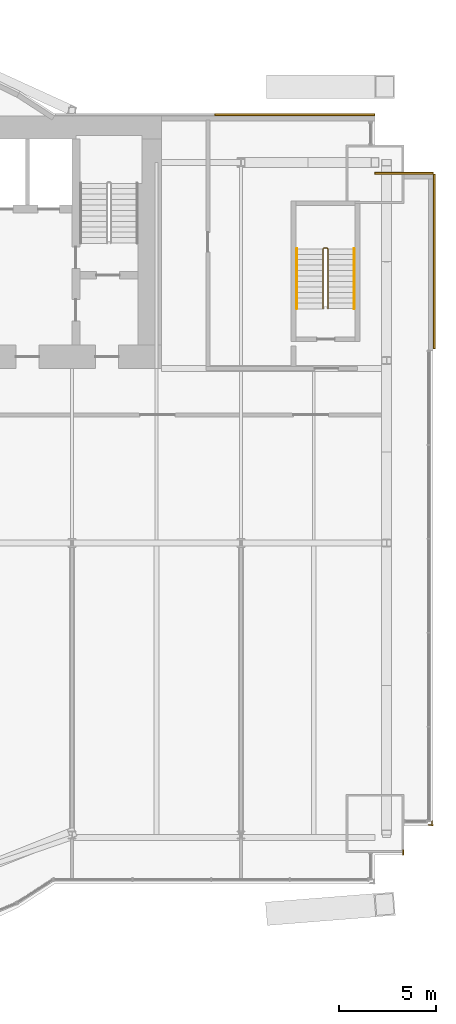
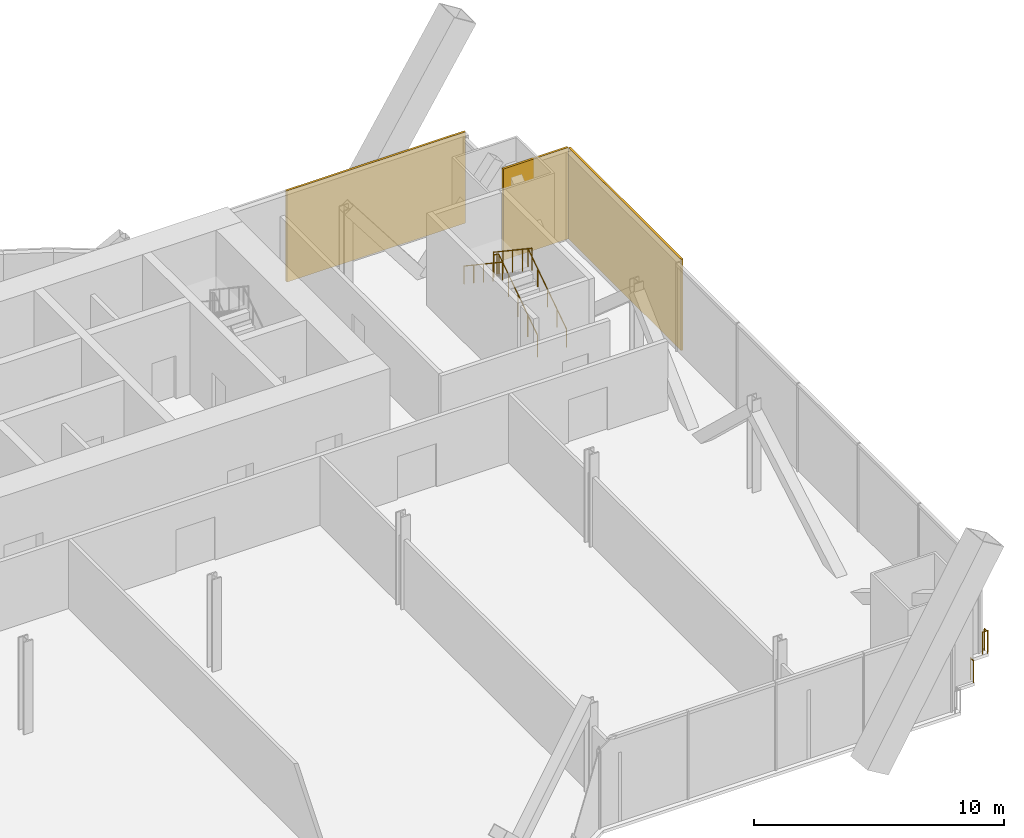
# One storey, part 21 of 21: 5 railings, 3 coverings.
"""IFC4 building model written with IfcOpenShell, lengths in metres."""

from ifc_helpers import new_model, si_unit, direction, frame, origin, origin_2d, place, context, subcontext, project, spatial, rectangle, circle, extrude, material, layer, layer_set, type_object, element, save


model = new_model("IFC4")

# Units and contexts
model_context = context("Model", 3, precision=1e-05, world=origin(), true_north=direction((0.0, 1.0)))
body_context = subcontext(model_context, "Body", "Model", "MODEL_VIEW")
ifc_project = project(units=[si_unit("LENGTHUNIT", "METRE"), si_unit("AREAUNIT", "SQUARE_METRE"), si_unit("VOLUMEUNIT", "CUBIC_METRE"), si_unit("PLANEANGLEUNIT", "RADIAN"), si_unit("MASSUNIT", "GRAM", prefix="KILO")], contexts=[model_context])

# Site, building, storey
site_placement = place(None, origin())
site = spatial("IfcSite", under=ifc_project, at=site_placement, CompositionType="ELEMENT")
building_placement = place(site_placement, origin())
building = spatial("IfcBuilding", under=site, at=building_placement, Name="Bicima Exchange Tower", CompositionType="ELEMENT")
storey_placement = place(building_placement, frame((0.0, 0.0, 80.0)))
storey = spatial("IfcBuildingStorey", under=building, at=storey_placement, Name="L16", CompositionType="ELEMENT", Elevation=80.0)

# Coverings
ifc_material_1 = material(Name="Bronze metal cladding")
ifc_layer_1 = layer(ifc_material_1, 0.004)
ifc_material_2 = material(Name="Ventilated cavity")
ifc_layer_2 = layer(ifc_material_2, 0.06)
ifc_material_3 = material(Name="Galvanised steel rail and mineral wool", Category="steel")
ifc_layer_3 = layer(ifc_material_3, 0.036)
ifc_layer_set = layer_set([ifc_layer_1, ifc_layer_2, ifc_layer_3], Name="Ventilated cavity")
covering_type = type_object("IfcCoveringType", Name="Bronze metal cladding panel 100", PredefinedType="CLADDING", material=ifc_layer_set)
covering_1_placement = place(storey_placement, frame((28.875, 0.050048828125, -0.14990234375), z_axis=(0.0, 0.0, 1.0), x_axis=(-1.0, 0.0, 0.0)))
element("IfcCovering", 1, at=covering_1_placement, inside=storey, type_object=covering_type, Name="Bronze cladding L16 1.1", PredefinedType="CLADDING", context=body_context, shape_type="SweptSolid", body=[
    extrude(rectangle(XDim=8.25, YDim=0.10009765625, at=origin_2d()), origin(), (0.0, 0.0, 1.0), 4.449951171875),
])
covering_2_placement = place(storey_placement, frame((36.050048828125, -7.5, -0.14990234375), z_axis=(0.0, 0.0, 1.0), x_axis=(0.0, 1.0, 0.0)))
element("IfcCovering", 2, at=covering_2_placement, inside=storey, type_object=covering_type, Name="Bronze cladding L16 50.1", PredefinedType="CLADDING", context=body_context, shape_type="SweptSolid", body=[
    extrude(rectangle(XDim=9.0, YDim=0.10009765625, at=origin_2d()), origin(), (0.0, 0.0, 1.0), 4.449951171875),
])
covering_3_placement = place(storey_placement, frame((34.5, -2.949951171875, -0.14990234375), z_axis=(0.0, 0.0, 1.0), x_axis=(-1.0, 0.0, 0.0)))
element("IfcCovering", 3, at=covering_3_placement, inside=storey, type_object=covering_type, Name="Bronze cladding L16 51.1", PredefinedType="CLADDING", context=body_context, shape_type="SweptSolid", body=[
    extrude(rectangle(XDim=3.0, YDim=0.10009765625, at=origin_2d()), origin(), (0.0, 0.0, 1.0), 4.449951171875),
])

# Railings
ifc_material_4 = material(Name="Stainless steel and bonded safety glass", Category="steel")
railing_type_1 = type_object("IfcRailingType", Name="Edge guard 1100", PredefinedType="GUARDRAIL", material=ifc_material_4)
railing_1_placement = place(storey_placement, frame((35.949951171875, -36.31103515625, 0.0)))
element("IfcRailing", 4, at=railing_1_placement, inside=storey, type_object=railing_type_1, Name="Edge guard L16 76", PredefinedType="GUARDRAIL", context=body_context, shape_type="SweptSolid", body=[
    extrude(circle(Radius=0.02392578125, at=origin_2d()), frame((0.0, 0.0, 1.076171875), z_axis=(0.0, -1.0, 0.0), x_axis=(1.0, 0.0, 0.0)), (0.0, 0.0, 1.0), 0.2490234375),
    extrude(circle(Radius=0.02392578125, at=origin_2d()), frame((0.0, -0.2490234375, 1.076171875), z_axis=(0.707106781187, 0.707106781187, 0.0), x_axis=(-0.707106781187, 0.707106781187, 0.0)), (0.0, 0.0, 1.0), 0.07080078125),
    extrude(circle(Radius=0.02392578125, at=origin_2d()), frame((0.050048828125, -0.198974609375, 1.076171875), z_axis=(-1.0, 0.0, 0.0), x_axis=(0.0, -1.0, 0.0)), (0.0, 0.0, 1.0), 0.25),
    extrude(circle(Radius=0.02099609375, at=origin_2d()), origin(), (0.0, 0.0, 1.0), 1.052001953125),
    extrude(circle(Radius=0.02099609375, at=origin_2d()), frame((0.0, -0.2490234375, 0.0)), (0.0, 0.0, 1.0), 1.052001953125),
    extrude(circle(Radius=0.02099609375, at=origin_2d()), frame((0.050048828125, -0.198974609375, 0.0)), (0.0, 0.0, 1.0), 1.052001953125),
    extrude(circle(Radius=0.02099609375, at=origin_2d()), frame((-0.199951171875, -0.198974609375, 0.0)), (0.0, 0.0, 1.0), 1.052001953125),
])
railing_2_placement = place(storey_placement, frame((34.449951171875, -37.81005859375, 0.0)))
element("IfcRailing", 5, at=railing_2_placement, inside=storey, type_object=railing_type_1, Name="Edge guard L16 77", PredefinedType="GUARDRAIL", context=body_context, shape_type="SweptSolid", body=[
    extrude(circle(Radius=0.02392578125, at=origin_2d()), frame((0.0, 0.0, 1.076171875), z_axis=(0.0, -1.0, 0.0), x_axis=(1.0, 0.0, 0.0)), (0.0, 0.0, 1.0), 0.25),
    extrude(circle(Radius=0.02099609375, at=origin_2d()), origin(), (0.0, 0.0, 1.0), 1.052001953125),
    extrude(circle(Radius=0.02099609375, at=origin_2d()), frame((0.0, -0.25, 0.0)), (0.0, 0.0, 1.0), 1.052001953125),
])
ifc_material_5 = material(Name="Stainless steel", Category="steel")
railing_type_2 = type_object("IfcRailingType", Name="Stair guard 1100", PredefinedType="GUARDRAIL", material=ifc_material_5)
railing_3_placement = place(storey_placement, frame((30.574951171875, -9.925048828125, 0.1875)))
element("IfcRailing", 6, at=railing_3_placement, inside=storey, type_object=railing_type_2, Name="L16 ST-EE stair guard 1", PredefinedType="GUARDRAIL", context=body_context, shape_type="SweptSolid", body=[
    extrude(circle(Radius=0.02392578125, at=origin_2d()), frame((0.0, 0.0, 1.076171875), z_axis=(0.0, 0.830913701846, 0.55640131208), x_axis=(-1.0, 0.0, 0.0)), (0.0, 0.0, 1.0), 3.706787109375),
    extrude(circle(Radius=0.02392578125, at=origin_2d()), frame((0.0, 3.080078125, 3.138671875), z_axis=(-0.707106781187, 0.707106781187, 0.0), x_axis=(-0.707106781187, -0.707106781187, 0.0)), (0.0, 0.0, 1.0), 0.07080078125),
    extrude(circle(Radius=0.02392578125, at=origin_2d()), frame((-0.050048828125, 3.130126953125, 3.138671875), z_axis=(-1.0, 0.0, 0.0), x_axis=(0.0, -1.0, 0.0)), (0.0, 0.0, 1.0), 0.14990234375),
    extrude(circle(Radius=0.02392578125, at=origin_2d()), frame((-0.199951171875, 3.130126953125, 3.138671875), z_axis=(-0.249726431254, -0.249726431254, 0.935560483917), x_axis=(0.707106781187, -0.707106781187, 0.0)), (0.0, 0.0, 1.0), 0.200439453125),
    extrude(circle(Radius=0.02392578125, at=origin_2d()), frame((-0.25, 3.080078125, 3.326171875), z_axis=(0.0, -0.830913701846, 0.55640131208), x_axis=(1.0, 0.0, 0.0)), (0.0, 0.0, 1.0), 3.706787109375),
    extrude(circle(Radius=0.02099609375, at=origin_2d()), origin(), (0.0, 0.0, 1.0), 1.052001953125),
    extrude(circle(Radius=0.02099609375, at=origin_2d()), frame((0.0, 0.77001953125, 0.515625)), (0.0, 0.0, 1.0), 1.052001953125),
    extrude(circle(Radius=0.02099609375, at=origin_2d()), frame((0.0, 1.5400390625, 1.03125)), (0.0, 0.0, 1.0), 1.052001953125),
    extrude(circle(Radius=0.02099609375, at=origin_2d()), frame((0.0, 2.31005859375, 1.546875)), (0.0, 0.0, 1.0), 1.052001953125),
    extrude(circle(Radius=0.02099609375, at=origin_2d()), frame((0.0, 3.080078125, 2.0625)), (0.0, 0.0, 1.0), 1.052001953125),
    extrude(circle(Radius=0.02099609375, at=origin_2d()), frame((-0.050048828125, 3.130126953125, 2.0625)), (0.0, 0.0, 1.0), 1.052001953125),
    extrude(circle(Radius=0.02099609375, at=origin_2d()), frame((-0.199951171875, 3.130126953125, 2.0625)), (0.0, 0.0, 1.0), 1.052001953125),
    extrude(circle(Radius=0.02099609375, at=origin_2d()), frame((-0.25, 3.080078125, 2.25)), (0.0, 0.0, 1.0), 1.052001953125),
    extrude(circle(Radius=0.02099609375, at=origin_2d()), frame((-0.25, 2.31005859375, 2.765625)), (0.0, 0.0, 1.0), 1.052001953125),
    extrude(circle(Radius=0.02099609375, at=origin_2d()), frame((-0.25, 1.5400390625, 3.28125)), (0.0, 0.0, 1.0), 1.052001953125),
    extrude(circle(Radius=0.02099609375, at=origin_2d()), frame((-0.25, 0.77001953125, 3.796875)), (0.0, 0.0, 1.0), 1.052001953125),
    extrude(circle(Radius=0.02099609375, at=origin_2d()), frame((-0.25, 0.0, 4.3125)), (0.0, 0.0, 1.0), 1.052001953125),
])
railing_type_3 = type_object("IfcRailingType", Name="Stair handrail 900", PredefinedType="HANDRAIL", material=ifc_material_5)
railing_4_placement = place(storey_placement, frame((31.925048828125, -9.925048828125, 0.1875)))
element("IfcRailing", 7, at=railing_4_placement, inside=storey, type_object=railing_type_3, Name="L16 ST-EE stair handrail 1", PredefinedType="HANDRAIL", context=body_context, shape_type="SweptSolid", body=[
    extrude(circle(Radius=0.02392578125, at=origin_2d()), frame((0.0, 0.0, 0.8759765625), z_axis=(0.0, 0.830913701846, 0.55640131208), x_axis=(-1.0, 0.0, 0.0)), (0.0, 0.0, 1.0), 3.706787109375),
    extrude(circle(Radius=0.02099609375, at=origin_2d()), origin(), (0.0, 0.0, 1.0), 0.851806640625),
    extrude(circle(Radius=0.02099609375, at=origin_2d()), frame((0.0, 0.77001953125, 0.515625)), (0.0, 0.0, 1.0), 0.851806640625),
    extrude(circle(Radius=0.02099609375, at=origin_2d()), frame((0.0, 1.5400390625, 1.03125)), (0.0, 0.0, 1.0), 0.851806640625),
    extrude(circle(Radius=0.02099609375, at=origin_2d()), frame((0.0, 2.31005859375, 1.546875)), (0.0, 0.0, 1.0), 0.851806640625),
    extrude(circle(Radius=0.02099609375, at=origin_2d()), frame((0.0, 3.080078125, 2.0625)), (0.0, 0.0, 1.0), 0.851806640625),
])
railing_5_placement = place(storey_placement, frame((28.97509765625, -6.844970703125, 2.4375)))
element("IfcRailing", 8, at=railing_5_placement, inside=storey, type_object=railing_type_3, Name="L16 ST-EE stair handrail 2", PredefinedType="HANDRAIL", context=body_context, shape_type="SweptSolid", body=[
    extrude(circle(Radius=0.02392578125, at=origin_2d()), frame((0.0, 0.0, 0.8759765625), z_axis=(0.0, -0.830913701846, 0.55640131208), x_axis=(1.0, 0.0, 0.0)), (0.0, 0.0, 1.0), 3.706787109375),
    extrude(circle(Radius=0.02099609375, at=origin_2d()), origin(), (0.0, 0.0, 1.0), 0.851806640625),
    extrude(circle(Radius=0.02099609375, at=origin_2d()), frame((0.0, -0.77001953125, 0.515625)), (0.0, 0.0, 1.0), 0.851806640625),
    extrude(circle(Radius=0.02099609375, at=origin_2d()), frame((0.0, -1.5400390625, 1.03125)), (0.0, 0.0, 1.0), 0.851806640625),
    extrude(circle(Radius=0.02099609375, at=origin_2d()), frame((0.0, -2.31005859375, 1.546875)), (0.0, 0.0, 1.0), 0.851806640625),
    extrude(circle(Radius=0.02099609375, at=origin_2d()), frame((0.0, -3.080078125, 2.0625)), (0.0, 0.0, 1.0), 0.851806640625),
])

save(model, "model.ifc")
